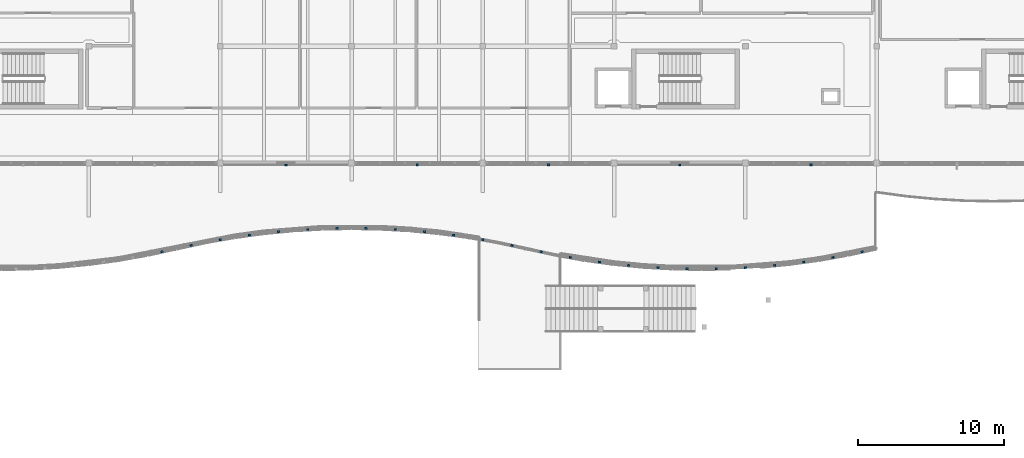
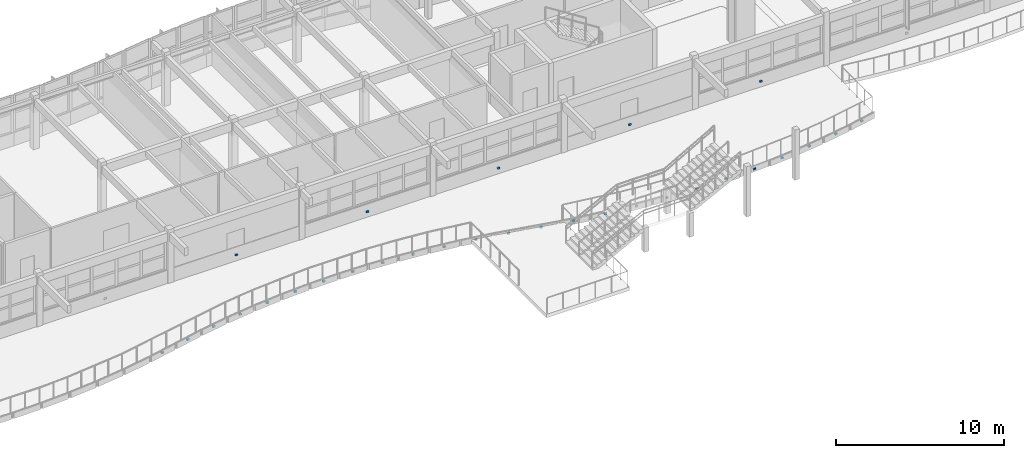
# One storey, part 37 of 52: 30 discrete accessories.
"""IFC4 building model written with IfcOpenShell, lengths in metres."""

from ifc_helpers import new_model, si_unit, direction, frame, origin, origin_2d, place, context, subcontext, project, spatial, rectangle, extrude, material, type_object, element, save


model = new_model("IFC4")

# Units and contexts
model_context = context("Model", 3, precision=1e-05, world=origin(), true_north=direction((0.0, 1.0)))
body_context = subcontext(model_context, "Body", "Model", "MODEL_VIEW")
ifc_project = project(units=[si_unit("LENGTHUNIT", "METRE"), si_unit("AREAUNIT", "SQUARE_METRE"), si_unit("VOLUMEUNIT", "CUBIC_METRE"), si_unit("PLANEANGLEUNIT", "RADIAN"), si_unit("MASSUNIT", "GRAM", prefix="KILO")], contexts=[model_context])

# Site, building, storey
site_placement = place(None, origin())
site = spatial("IfcSite", under=ifc_project, at=site_placement, CompositionType="ELEMENT")
building_placement = place(site_placement, origin())
building = spatial("IfcBuilding", under=site, at=building_placement, Name="Tonlespit Floodbar School", CompositionType="ELEMENT")
storey_placement = place(building_placement, frame((0.0, 0.0, 12.300048828125)))
storey = spatial("IfcBuildingStorey", under=building, at=storey_placement, Name="L03", CompositionType="ELEMENT", Elevation=12.300048828125)

# Discrete accessories
ifc_material = material(Name="Galvanised Steel", Category="steel")
discrete_accessory_type = type_object("IfcDiscreteAccessoryType", Name="Bracket_Facade_S355", PredefinedType="BRACKET", material=ifc_material)
for number, where, z_axis, x_axis, name in (
    (1, (111.5, 103.8701171875, 0.35498046875), (0.0, 0.0, 1.0), (-1.0, 0.0, 0.0), "L03 white band support bracket 0250"),
    (2, (102.5, 103.85009765625, 0.3798828125), (0.0, 0.0, 1.0), (-1.0, 0.0, 0.0), "L03 white band support bracket 0251"),
    (3, (93.5, 103.8701171875, 0.35498046875), (0.0, 0.0, 1.0), (-1.0, 0.0, 0.0), "L03 white band support bracket 0252"),
    (4, (84.5, 103.8701171875, 0.35498046875), (0.0, 0.0, 1.0), (-1.0, 0.0, 0.0), "L03 white band support bracket 0253"),
    (5, (75.5, 103.85009765625, 0.3798828125), (0.0, 0.0, 1.0), (-1.0, 0.0, 0.0), "L03 white band support bracket 0254"),
    (6, (67.0, 97.91357421875, -0.150146484375), (0.0, 0.0, 1.0), (0.977356843161, 0.21159773422, 0.0), "L03 white band support bracket 0272"),
    (7, (69.0, 98.346435546875, -0.150146484375), (0.0, 0.0, 1.0), (0.977356843161, 0.21159773422, 0.0), "L03 white band support bracket 0273"),
    (8, (71.0, 98.73876953125, -0.150146484375), (0.0, 0.0, 1.0), (0.984904884962, 0.17309641122, 0.0), "L03 white band support bracket 0274"),
    (9, (73.0, 99.05029296875, -0.150146484375), (0.0, 0.0, 1.0), (0.990898113281, 0.13461400037, 0.0), "L03 white band support bracket 0275"),
    (10, (75.0, 99.282958984375, -0.150146484375), (0.0, 0.0, 1.0), (0.995361841764, 0.096201891669, 0.0), "L03 white band support bracket 0276"),
    (11, (77.0, 99.437255859375, -0.150146484375), (0.0, 0.0, 1.0), (0.998333769428, 0.057703421212, 0.0), "L03 white band support bracket 0277"),
    (12, (79.0, 99.514404296875, -0.150146484375), (0.0, 0.0, 1.0), (0.999814772764, 0.01924630259, 0.0), "L03 white band support bracket 0278"),
    (13, (81.0, 99.514404296875, -0.150146484375), (0.0, 0.0, 1.0), (0.999814772764, -0.01924630259, 0.0), "L03 white band support bracket 0279"),
    (14, (83.0, 99.437255859375, -0.150146484375), (0.0, 0.0, 1.0), (0.998333769428, -0.057703421212, 0.0), "L03 white band support bracket 0280"),
    (15, (85.0, 99.282958984375, -0.150146484375), (0.0, 0.0, 1.0), (0.995361841764, -0.096201891669, 0.0), "L03 white band support bracket 0281"),
    (16, (87.0, 99.05029296875, -0.150146484375), (0.0, 0.0, 1.0), (0.990898113281, -0.13461400037, 0.0), "L03 white band support bracket 0282"),
    (17, (89.0, 98.73876953125, -0.150146484375), (0.0, 0.0, 1.0), (0.984904884962, -0.17309641122, 0.0), "L03 white band support bracket 0283"),
    (18, (91.0, 98.346435546875, -0.150146484375), (0.0, 0.0, 1.0), (0.977356843161, -0.21159773422, 0.0), "L03 white band support bracket 0284"),
    (19, (93.0, 97.91357421875, -0.150146484375), (0.0, 0.0, 1.0), (0.977356843161, -0.21159773422, 0.0), "L03 white band support bracket 0285"),
    (20, (95.0, 97.521240234375, -0.150146484375), (0.0, 0.0, 1.0), (0.984904884962, -0.17309641122, 0.0), "L03 white band support bracket 0286"),
    (21, (97.0, 97.209716796875, -0.150146484375), (0.0, 0.0, 1.0), (0.990898113281, -0.13461400037, 0.0), "L03 white band support bracket 0287"),
    (22, (99.0, 96.977294921875, -0.150146484375), (0.0, 0.0, 1.0), (0.995361841764, -0.096201891669, 0.0), "L03 white band support bracket 0288"),
    (23, (101.0, 96.82275390625, -0.150146484375), (0.0, 0.0, 1.0), (0.998333769428, -0.057703421212, 0.0), "L03 white band support bracket 0289"),
    (24, (103.0, 96.74560546875, -0.150146484375), (0.0, 0.0, 1.0), (0.999814772764, -0.01924630259, 0.0), "L03 white band support bracket 0290"),
    (25, (105.0, 96.74560546875, -0.150146484375), (0.0, 0.0, 1.0), (0.999814772764, 0.01924630259, 0.0), "L03 white band support bracket 0291"),
    (26, (107.0, 96.82275390625, -0.150146484375), (0.0, 0.0, 1.0), (0.998333769428, 0.057703421212, 0.0), "L03 white band support bracket 0292"),
    (27, (109.0, 96.977294921875, -0.150146484375), (0.0, 0.0, 1.0), (0.995361841764, 0.096201891669, 0.0), "L03 white band support bracket 0293"),
    (28, (111.0, 97.209716796875, -0.150146484375), (0.0, 0.0, 1.0), (0.990898113281, 0.13461400037, 0.0), "L03 white band support bracket 0294"),
    (29, (113.0, 97.521240234375, -0.150146484375), (0.0, 0.0, 1.0), (0.984904884962, 0.17309641122, 0.0), "L03 white band support bracket 0295"),
    (30, (115.0, 97.91357421875, -0.150146484375), (0.0, 0.0, 1.0), (0.977356843161, 0.21159773422, 0.0), "L03 white band support bracket 0296"),
):
    element("IfcDiscreteAccessory", number, at=place(storey_placement, frame(where, z_axis=z_axis, x_axis=x_axis)), inside=storey, type_object=discrete_accessory_type, Name=name, PredefinedType="BRACKET", context=body_context, shape_type="SweptSolid", body=[
        extrude(rectangle(XDim=0.159912109375, YDim=0.1201171875, at=origin_2d()), origin(), (0.0, 0.0, 1.0), 0.1201171875),
    ])

save(model, "model.ifc")
